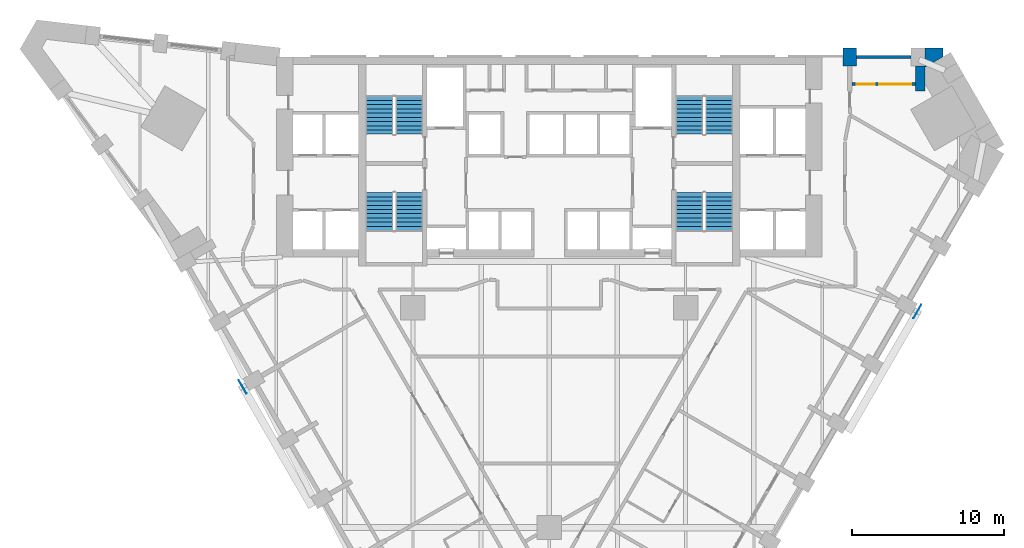
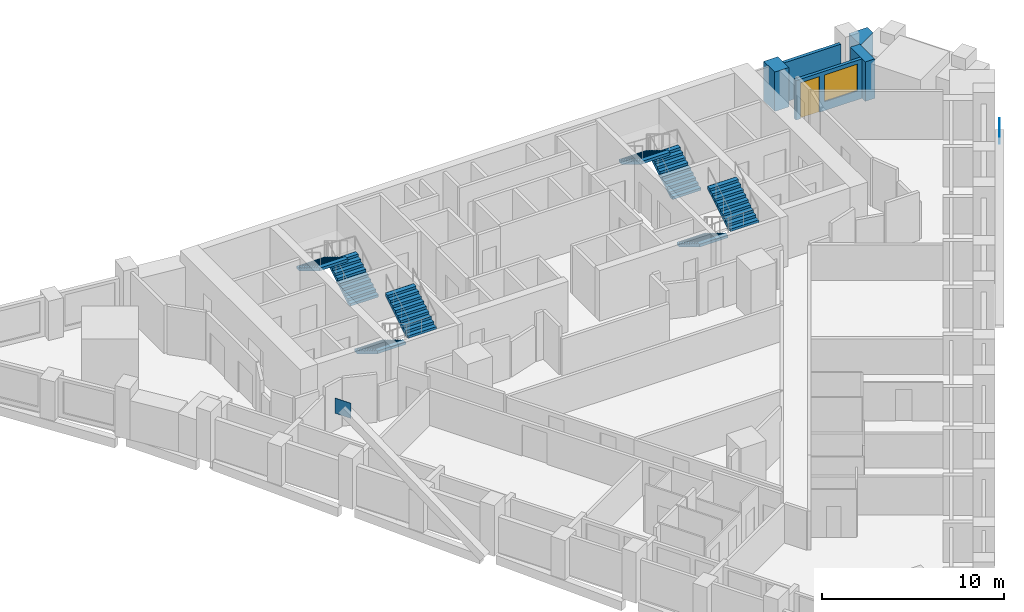
# One storey, part 9 of 10: 8 stair flights, 5 walls, 2 discrete accessories, 1 door, 1 window, 2 openings, 4 elements without a shape of their own.
"""IFC4 building model written with IfcOpenShell, lengths in metres."""

import ifcopenshell
import ifcopenshell.guid

model = None  # the IFC model being written
_history = None  # IfcOwnerHistory: only IFC2X3 demands one
_inside = {}  # id of a spatial element -> (the spatial element, [elements in it])
_under = {}  # id of a project, library or spatial element -> (it, [spatial elements below it])
_declared = {}  # id of a project -> (the project, [libraries it declares])
_typed = {}  # id of a type object -> (the type object, [elements of that type])
_made_of = {}  # id of a material, layer set ... -> (it, [elements and type objects made of it])


def new_model(schema):
    """Start an empty IFC model of exactly this schema.

    Asked for "IFC4X3", IfcOpenShell would pick the latest addendum, in which some entities
    have other attributes; the version numbers below select the first issue.
    IFC2X3 requires an IfcOwnerHistory on every rooted entity: one is made here for all.
    """
    global model, _history
    if schema == "IFC4X3":
        model = ifcopenshell.file(schema_version=(4, 3, 0, 0))
    else:
        model = ifcopenshell.file(schema=schema)
    _inside.clear()
    _under.clear()
    _declared.clear()
    _typed.clear()
    _made_of.clear()
    _history = None
    if model.schema == "IFC2X3":
        org = make("IfcOrganization", Name="unknown")
        user = make(
            "IfcPersonAndOrganization",
            ThePerson=make("IfcPerson", FamilyName="unknown"),
            TheOrganization=org,
        )
        app = make(
            "IfcApplication",
            ApplicationDeveloper=org,
            Version="unknown",
            ApplicationFullName="unknown",
            ApplicationIdentifier="unknown",
        )
        _history = make(
            "IfcOwnerHistory",
            OwningUser=user,
            OwningApplication=app,
            ChangeAction="ADDED",
            CreationDate=0,
        )
    return model


def make(cls, **values):
    """One entity of the class cls with the attributes given. An attribute that is None is left unset."""
    return model.create_entity(
        cls, **{name: value for name, value in values.items() if value is not None}
    )


def rooted(cls, **values):
    """An entity with a GlobalId (a new one), such as an element, a storey or a relation."""
    return make(cls, GlobalId=ifcopenshell.guid.new(), OwnerHistory=_history, **values)


def si_unit(unit_type, name, prefix=None):
    """IfcSIUnit, for example si_unit("LENGTHUNIT", "METRE", prefix="MILLI")."""
    return make("IfcSIUnit", UnitType=unit_type, Prefix=prefix, Name=name)


def assignment(units):
    """IfcUnitAssignment: the units of a project."""
    return None if units is None else make("IfcUnitAssignment", Units=units)


def point(xyz):
    """IfcCartesianPoint."""
    return None if xyz is None else make("IfcCartesianPoint", Coordinates=xyz)


def direction(xyz):
    """IfcDirection."""
    return None if xyz is None else make("IfcDirection", DirectionRatios=xyz)


def frame(location, z_axis=None, x_axis=None):
    """IfcAxis2Placement3D, a coordinate frame: its origin and axes. An axis left out is left unset."""
    return make(
        "IfcAxis2Placement3D",
        Location=point(location),
        Axis=direction(z_axis),
        RefDirection=direction(x_axis),
    )


def frame_2d(location, x_axis=None):
    """IfcAxis2Placement2D, a coordinate frame in the plane: its origin and x axis."""
    return make(
        "IfcAxis2Placement2D", Location=point(location), RefDirection=direction(x_axis)
    )


def origin():
    """The frame at (0, 0, 0) with its axes left unset."""
    return frame((0.0, 0.0, 0.0))


def origin_2d():
    """The frame at (0, 0) in the plane with its x axis left unset."""
    return frame_2d((0.0, 0.0))


def place(relative_to, where):
    """IfcLocalPlacement: puts the frame where relative to a parent placement (None: the world)."""
    return make(
        "IfcLocalPlacement", PlacementRelTo=relative_to, RelativePlacement=where
    )


def context(
    kind, dimensions, precision=None, world=None, true_north=None, identifier=None
):
    """IfcGeometricRepresentationContext, for example the 3D "Model" context."""
    return make(
        "IfcGeometricRepresentationContext",
        ContextIdentifier=identifier,
        ContextType=kind,
        CoordinateSpaceDimension=dimensions,
        Precision=precision,
        WorldCoordinateSystem=world,
        TrueNorth=true_north,
    )


def subcontext(parent, identifier, kind, view, scale=None):
    """IfcGeometricRepresentationSubContext, for example "Body" below "Model"."""
    return make(
        "IfcGeometricRepresentationSubContext",
        ContextIdentifier=identifier,
        ContextType=kind,
        ParentContext=parent,
        TargetScale=scale,
        TargetView=view,
    )


def project(units=None, contexts=None):
    """IfcProject with its units and contexts."""
    return rooted(
        "IfcProject",
        Name="project",
        RepresentationContexts=contexts,
        UnitsInContext=assignment(units),
    )


def spatial(cls, under=None, at=None, **own):
    """A site, building, storey or space (cls), placed at a placement, below another one or the project."""
    s = rooted(cls, ObjectPlacement=at, **own)
    if under is not None:
        _under.setdefault(under.id(), (under, []))[1].append(s)
    return s


def polyline(points):
    """IfcPolyline through the points."""
    return make("IfcPolyline", Points=[point(p) for p in points])


def profile(cls, at=None, kind="AREA", **sizes):
    """A parametric profile (cls). Its sizes go by their IFC names, for example OverallWidth=200.0."""
    return make(cls, ProfileType=kind, Position=at, **sizes)


def rectangle(**sizes):
    """IfcRectangleProfileDef."""
    return profile("IfcRectangleProfileDef", **sizes)


def outline(outer, holes=None, kind="AREA"):
    """IfcArbitraryClosedProfileDef: a profile drawn as a closed curve; with holes, ...WithVoids."""
    if holes is None:
        return make("IfcArbitraryClosedProfileDef", ProfileType=kind, OuterCurve=outer)
    return make(
        "IfcArbitraryProfileDefWithVoids",
        ProfileType=kind,
        OuterCurve=outer,
        InnerCurves=holes,
    )


def extrude(swept, where, along, depth):
    """IfcExtrudedAreaSolid: the profile swept, set in the frame where, extruded along a direction by depth."""
    return make(
        "IfcExtrudedAreaSolid",
        SweptArea=swept,
        Position=where,
        ExtrudedDirection=direction(along),
        Depth=depth,
    )


def faces_of(points, faces, orient=None, outer=None):
    """IfcFace entities. A face is a list of loops; a loop is a list of indices into points, from 0.

    orient and outer hold one flag for each loop. By default every Orientation is true, the
    first loop of a face is its IfcFaceOuterBound and the others are IfcFaceBound.
    """
    made = []
    for i, loops in enumerate(faces):
        bounds = []
        for j, loop in enumerate(loops):
            is_outer = j == 0 if outer is None else outer[i][j]
            bounds.append(
                make(
                    "IfcFaceOuterBound" if is_outer else "IfcFaceBound",
                    Bound=make("IfcPolyLoop", Polygon=[points[k] for k in loop]),
                    Orientation=True if orient is None else orient[i][j],
                )
            )
        made.append(make("IfcFace", Bounds=bounds))
    return made


def faceted_brep(points, faces, orient=None, outer=None, voids=None):
    """IfcFacetedBrep: a solid bounded by flat faces; with voids (closed shells), ...WithVoids."""
    shared = [point(p) for p in points]
    hull = make("IfcClosedShell", CfsFaces=faces_of(shared, faces, orient, outer))
    if voids is None:
        return make("IfcFacetedBrep", Outer=hull)
    return make(
        "IfcFacetedBrepWithVoids",
        Outer=hull,
        Voids=[
            make(cls, CfsFaces=faces_of(shared, fs, o, b)) for cls, fs, o, b in voids
        ],
    )


def shape(context_of_items, identifier, shape_type, items):
    """IfcShapeRepresentation: the items that make up one representation, for example the "Body"."""
    return make(
        "IfcShapeRepresentation",
        ContextOfItems=context_of_items,
        RepresentationIdentifier=identifier,
        RepresentationType=shape_type,
        Items=items,
    )


def source(mapping_origin, context_of_items, identifier, shape_type, items):
    """IfcRepresentationMap: a shape defined once, which mapped items show again and again."""
    return make(
        "IfcRepresentationMap",
        MappingOrigin=mapping_origin,
        MappedRepresentation=shape(context_of_items, identifier, shape_type, items),
    )


def transform(
    local_origin,
    x_axis=None,
    y_axis=None,
    z_axis=None,
    scale=None,
    scale2=None,
    scale3=None,
    uniform=True,
):
    """IfcCartesianTransformationOperator3D, or its non-uniform kind. x_axis, y_axis, z_axis: its Axis1, 2, 3."""
    if uniform:
        return make(
            "IfcCartesianTransformationOperator3D",
            Axis1=direction(x_axis),
            Axis2=direction(y_axis),
            LocalOrigin=point(local_origin),
            Scale=scale,
            Axis3=direction(z_axis),
        )
    return make(
        "IfcCartesianTransformationOperator3DnonUniform",
        Axis1=direction(x_axis),
        Axis2=direction(y_axis),
        LocalOrigin=point(local_origin),
        Scale=scale,
        Axis3=direction(z_axis),
        Scale2=scale2,
        Scale3=scale3,
    )


def mapped(mapping_source, mapping_target):
    """IfcMappedItem: shows the shape of a source again, moved by a transform."""
    return make(
        "IfcMappedItem", MappingSource=mapping_source, MappingTarget=mapping_target
    )


def material(Name=None, Category=None):
    """IfcMaterial."""
    return make("IfcMaterial", Name=Name, Category=Category)


def layer(
    of_material, thickness, ventilated=None, Name=None, Category=None, Priority=None
):
    """IfcMaterialLayer: one layer of a wall or slab, of a material (None: an air gap)."""
    return make(
        "IfcMaterialLayer",
        Material=of_material,
        LayerThickness=thickness,
        IsVentilated=ventilated,
        Name=Name,
        Category=Category,
        Priority=Priority,
    )


def layer_set(layers, Name=None):
    """IfcMaterialLayerSet."""
    return make("IfcMaterialLayerSet", MaterialLayers=layers, LayerSetName=Name)


def made_of(thing, what):
    """Note that an element or type object is made of a material, layer set ...; save() writes the relation."""
    if what is not None:
        _made_of.setdefault(what.id(), (what, []))[1].append(thing)
    return thing


def type_object(cls, material=None, **own):
    """A type object (cls), such as IfcWallType, which elements share."""
    return made_of(rooted(cls, **own), material)


def element(
    cls,
    number,
    at=None,
    inside=None,
    cuts=None,
    type_object=None,
    material=None,
    context=None,
    identifier="Body",
    shape_type=None,
    held_by="IfcProductDefinitionShape",
    body=None,
    shapes=None,
    **own,
):
    """One element of the class cls, such as IfcWall. Its Tag is "e" and its number.

    at: its placement. inside: the storey or other place that contains it. cuts: it is an
    opening in that element (IfcRelVoidsElement). A single representation is given by context,
    identifier, shape_type and body (its items); several are given by shapes. held_by: the class
    of the entity that holds the representations. save() writes the other relations.
    """
    e = rooted(cls, Tag="e%d" % number, ObjectPlacement=at, **own)
    if body is not None:
        shapes = [shape(context, identifier, shape_type, body)]
    if shapes is not None:
        e.Representation = make(held_by, Representations=shapes)
    if inside is not None:
        _inside.setdefault(inside.id(), (inside, []))[1].append(e)
    if cuts is not None:
        rooted(
            "IfcRelVoidsElement", RelatingBuildingElement=cuts, RelatedOpeningElement=e
        )
    if type_object is not None:
        _typed.setdefault(type_object.id(), (type_object, []))[1].append(e)
    return made_of(e, material)


def fill(opening, filler):
    """IfcRelFillsElement: the door or window that sits in an opening."""
    return rooted(
        "IfcRelFillsElement",
        RelatingOpeningElement=opening,
        RelatedBuildingElement=filler,
    )


def aggregate(whole, parts):
    """IfcRelAggregates: a whole, such as a stair, and the parts it consists of."""
    return rooted("IfcRelAggregates", RelatingObject=whole, RelatedObjects=parts)


def save(model, path):
    """Write the relations noted so far, then the file.

    IfcRelAggregates (storeys below a building ...), IfcRelContainedInSpatialStructure (elements
    in a storey), IfcRelDefinesByType, IfcRelAssociatesMaterial and IfcRelDeclares: one each for
    every whole, place, type object, material and project.
    """
    for whole, parts in _under.values():
        aggregate(whole, parts)
    for where, things in _inside.values():
        rooted(
            "IfcRelContainedInSpatialStructure",
            RelatedElements=things,
            RelatingStructure=where,
        )
    for kind, things in _typed.values():
        rooted("IfcRelDefinesByType", RelatedObjects=things, RelatingType=kind)
    for what, things in _made_of.values():
        rooted("IfcRelAssociatesMaterial", RelatedObjects=things, RelatingMaterial=what)
    for by, libraries in _declared.values():
        rooted("IfcRelDeclares", RelatingContext=by, RelatedDefinitions=libraries)
    model.write(path)


model = new_model("IFC4")

# Units and contexts
model_context = context("Model", 3, precision=1e-05, world=origin(), true_north=direction((0.0, 1.0)))
body_context = subcontext(model_context, "Body", "Model", "MODEL_VIEW")
ifc_project = project(units=[si_unit("LENGTHUNIT", "METRE"), si_unit("AREAUNIT", "SQUARE_METRE"), si_unit("VOLUMEUNIT", "CUBIC_METRE"), si_unit("PLANEANGLEUNIT", "RADIAN"), si_unit("MASSUNIT", "GRAM", prefix="KILO")], contexts=[model_context])

# Site, building, storey
site_placement = place(None, origin())
site = spatial("IfcSite", under=ifc_project, at=site_placement, CompositionType="ELEMENT")
building_placement = place(site_placement, origin())
building = spatial("IfcBuilding", under=site, at=building_placement, Name="Calabash Gate Tower", CompositionType="ELEMENT")
storey_placement = place(building_placement, frame((0.0, 0.0, 66.39990234375)))
storey = spatial("IfcBuildingStorey", under=building, at=storey_placement, Name="L12", CompositionType="ELEMENT", Elevation=66.39990234375)

# Walls
ifc_material_1 = material(Name="Terracotta brick masonry, exposed face", Category="masonry")
ifc_layer_1 = layer(ifc_material_1, 2.5)
ifc_layer_set_1 = layer_set([ifc_layer_1], Name="Brick corner mass wall 2500")
wall_type_1 = type_object("IfcWallType", Name="Brick corner mass wall 2500", PredefinedType="SOLIDWALL", material=ifc_layer_set_1)
wall_1_placement = place(storey_placement, origin())
element("IfcWall", 1, at=wall_1_placement, inside=storey, type_object=wall_type_1, Name="Brick corner pier S03 3c", PredefinedType="SOLIDWALL", context=body_context, shape_type="SweptSolid", body=[
    extrude(outline(polyline([(24.77783203125, 18.452880859375), (24.77783203125, 18.36865234375), (25.96240234375, 19.052490234375), (25.96240234375, 19.652587890625), (24.778076171875, 19.652587890625), (24.778076171875, 18.452880859375), (24.77783203125, 18.452880859375)])), origin(), (0.0, 0.0, 1.0), 2.630126953125),
])
ifc_material_2 = material(Name="Terracotta brick masonry, exposed face", Category="masonry")
ifc_layer_2 = layer(ifc_material_2, 1.199951171875)
ifc_layer_set_2 = layer_set([ifc_layer_2], Name="Brick end wall 1200")
wall_type_2 = type_object("IfcWallType", Name="Brick end wall 1200", PredefinedType="SOLIDWALL", material=ifc_layer_set_2)
wall_2_placement = place(storey_placement, origin())
element("IfcWall", 2, at=wall_2_placement, inside=storey, type_object=wall_type_2, Name="Brick pier S03 N4.1", PredefinedType="SOLIDWALL", context=body_context, shape_type="SweptSolid", body=[
    extrude(outline(polyline([(20.27783203125, 19.652587890625), (19.3779296875, 19.652587890625), (19.3779296875, 18.45263671875), (20.27783203125, 18.45263671875), (20.27783203125, 19.652587890625)])), origin(), (0.0, 0.0, 1.0), 2.650146484375),
])
ifc_material_3 = material(Name="Terracotta brick masonry, exposed face", Category="masonry")
ifc_layer_3 = layer(ifc_material_3, 0.300048828125)
ifc_layer_set_3 = layer_set([ifc_layer_3], Name="Brick loggia cheek wall 300")
wall_type_3 = type_object("IfcWallType", Name="Brick loggia cheek wall 300", PredefinedType="SOLIDWALL", material=ifc_layer_set_3)
wall_3_placement = place(storey_placement, origin())
element("IfcWall", 3, at=wall_3_placement, inside=storey, type_object=wall_type_3, Name="Loggia cheek S03 N4.0", PredefinedType="SOLIDWALL", context=body_context, shape_type="SweptSolid", body=[
    extrude(outline(polyline([(24.77783203125, 16.802490234375), (24.77783203125, 18.45263671875), (24.177978515625, 18.45263671875), (24.177978515625, 16.802490234375), (24.77783203125, 16.802490234375)])), origin(), (0.0, 0.0, 1.0), 2.650146484375),
])
ifc_material_4 = material(Name="Terracotta brick masonry, perforated", Category="masonry")
ifc_layer_4 = layer(ifc_material_4, 0.199951171875)
ifc_layer_set_4 = layer_set([ifc_layer_4], Name="Terracotta jaali screen A")
wall_type_4 = type_object("IfcWallType", Name="Terracotta jaali screen A", PredefinedType="SOLIDWALL", material=ifc_layer_set_4)
wall_4_placement = place(storey_placement, frame((23.8779296875, 19.052490234375, 0.0), z_axis=(0.0, 0.0, 1.0), x_axis=(-1.0, 0.0, 0.0)))
element("IfcWall", 4, at=wall_4_placement, inside=storey, type_object=wall_type_4, Name="SCREEN A S03 N4.1", PredefinedType="SOLIDWALL", context=body_context, shape_type="SweptSolid", body=[
    extrude(rectangle(XDim=3.60009765625, YDim=0.199951171875, at=frame_2d((1.800048828125, 0.0))), origin(), (0.0, 0.0, 1.0), 2.650146484375),
])

# Wall, openings, door, window
ifc_material_5 = material(Name="Aluminium framed window wall with insulated spandrel", Category="aluminium")
ifc_layer_5 = layer(ifc_material_5, 0.199951171875)
ifc_layer_set_5 = layer_set([ifc_layer_5], Name="Window wall 200")
wall_type_5 = type_object("IfcWallType", Name="Window wall 200", PredefinedType="ELEMENTEDWALL", material=ifc_layer_set_5)
wall_5_placement = place(storey_placement, frame((24.177978515625, 17.25244140625, 0.0), z_axis=(0.0, 0.0, 1.0), x_axis=(-1.0, 0.0, 0.0)))
wall_5 = element("IfcWall", 5, at=wall_5_placement, inside=storey, type_object=wall_type_5, Name="Window wall S03 N4.1", PredefinedType="ELEMENTEDWALL", context=body_context, shape_type="SweptSolid", body=[
    extrude(rectangle(XDim=4.2001953125, YDim=0.199951171875, at=frame_2d((2.10009765625, 0.0))), origin(), (0.0, 0.0, 1.0), 2.650146484375),
])
opening_1_placement = place(wall_5_placement, frame((0.300048828125, 0.0, 0.60009765625)))
opening_1 = element("IfcOpeningElement", 6, at=opening_1_placement, cuts=wall_5, Name="Opening HW1", PredefinedType="OPENING", context=body_context, shape_type="SweptSolid", body=[
    extrude(rectangle(XDim=2.10009765625, YDim=1.800048828125, at=frame_2d((1.050048828125, 0.89990234375))), frame((0.0, 0.10986328125, 0.0), z_axis=(0.0, -1.0, 0.0), x_axis=(1.0, 0.0, 0.0)), (0.0, 0.0, 1.0), 0.219970703125),
])
opening_2_placement = place(wall_5_placement, frame((2.699951171875, 0.0, 0.0)))
opening_2 = element("IfcOpeningElement", 7, at=opening_2_placement, cuts=wall_5, Name="Opening H3-019", PredefinedType="OPENING", context=body_context, shape_type="SweptSolid", body=[
    extrude(rectangle(XDim=1.199951171875, YDim=2.39990234375, at=frame_2d((0.60009765625, 1.199951171875))), frame((0.0, 0.10986328125, 0.0), z_axis=(0.0, -1.0, 0.0), x_axis=(1.0, 0.0, 0.0)), (0.0, 0.0, 1.0), 0.219970703125),
])
ifc_material_6 = material(Name="Anodised aluminium frame, bronze finish, impact-rated laminated clear glazing", Category="aluminium")
door_type = type_object("IfcDoorType", Name="Loggia door DH1 1200x2400", OperationType="SLIDING_TO_LEFT", PredefinedType="DOOR", material=ifc_material_6)
door_placement = place(opening_2_placement, origin())
door = element("IfcDoor", 8, at=door_placement, inside=storey, type_object=door_type, Name="Loggia door S03 N4.1", OperationType="SINGLE_SWING_LEFT", OverallHeight=2.39990234375, OverallWidth=1.199951171875, PredefinedType="DOOR", context=body_context, shape_type="SweptSolid", body=[
    extrude(rectangle(XDim=1.199951171875, YDim=2.39990234375, at=frame_2d((0.60009765625, 1.199951171875))), frame((0.0, 0.02490234375, 0.0), z_axis=(0.0, -1.0, 0.0), x_axis=(1.0, 0.0, 0.0)), (0.0, 0.0, 1.0), 0.050048828125),
])
fill(opening_2, door)
ifc_material_7 = material(Name="Anodised aluminium frame, bronze finish, impact-rated laminated clear glazing", Category="aluminium")
window_type = type_object("IfcWindowType", Name="Window HW1 2100x1800", PartitioningType="DOUBLE_PANEL_VERTICAL", PredefinedType="WINDOW", material=ifc_material_7)
window_placement = place(opening_1_placement, origin())
window = element("IfcWindow", 9, at=window_placement, inside=storey, type_object=window_type, Name="Window HW1 S03 N4.1", OverallHeight=1.800048828125, OverallWidth=2.10009765625, PartitioningType="SINGLE_PANEL", PredefinedType="WINDOW", context=body_context, shape_type="SweptSolid", body=[
    extrude(rectangle(XDim=2.10009765625, YDim=1.800048828125, at=frame_2d((1.050048828125, 0.89990234375))), frame((0.0, 0.030029296875, 0.0), z_axis=(0.0, -1.0, 0.0), x_axis=(1.0, 0.0, 0.0)), (0.0, 0.0, 1.0), 0.06005859375),
])
fill(opening_1, window)

# Stair, stair flights
ifc_material_8 = material(Name="Concrete C40/50", Category="concrete")
stair_type = type_object("IfcStairType", Name="Exit stair 20 risers of 170 mm", PredefinedType="HALF_TURN_STAIR", material=ifc_material_8)
stair_1_placement = place(storey_placement, origin())
stair_1 = element("IfcStair", 10, at=stair_1_placement, inside=storey, type_object=stair_type, Name="L12 Exit stair ST1", PredefinedType="HALF_TURN_STAIR")
ifc_material_9 = material(Name="Concrete C40/50", Category="concrete")
stair_flight_type = type_object("IfcStairFlightType", Name="Exit stair flight SFL", PredefinedType="STRAIGHT", material=ifc_material_9)
shared_shape = source(origin(), body_context, "Body", "Brep", [
    faceted_brep([(-0.0009765625, -0.89990234375, 0.0), (0.2880859375, -0.89990234375, 0.0), (2.511962890625, -0.89990234375, 1.3544921875), (-0.0009765625, 0.89990234375, 0.0), (2.511962890625, 0.89990234375, 1.3544921875), (0.2880859375, 0.89990234375, 0.0), (2.511962890625, -0.89990234375, 1.5419921875), (2.510986328125, -0.89990234375, 1.5419921875), (2.510986328125, 0.89990234375, 1.5419921875), (2.511962890625, 0.89990234375, 1.5419921875), (2.510986328125, -0.89990234375, 1.530029296875), (2.510986328125, 0.89990234375, 1.530029296875), (2.23193359375, -0.89990234375, 1.530029296875), (2.23193359375, 0.89990234375, 1.530029296875), (2.23193359375, -0.89990234375, 1.360107421875), (2.23193359375, 0.89990234375, 1.360107421875), (1.952880859375, -0.89990234375, 1.360107421875), (1.952880859375, 0.89990234375, 1.360107421875), (1.952880859375, -0.89990234375, 1.18994140625), (1.952880859375, 0.89990234375, 1.18994140625), (1.674072265625, -0.89990234375, 1.18994140625), (1.674072265625, -0.89990234375, 1.02001953125), (1.674072265625, 0.89990234375, 1.02001953125), (1.674072265625, 0.89990234375, 1.18994140625), (1.39501953125, -0.89990234375, 1.02001953125), (1.39501953125, -0.89990234375, 0.85009765625), (1.39501953125, 0.89990234375, 0.85009765625), (1.39501953125, 0.89990234375, 1.02001953125), (1.115966796875, -0.89990234375, 0.85009765625), (1.115966796875, -0.89990234375, 0.679931640625), (1.115966796875, 0.89990234375, 0.679931640625), (1.115966796875, 0.89990234375, 0.85009765625), (0.8369140625, -0.89990234375, 0.679931640625), (0.8369140625, -0.89990234375, 0.510009765625), (0.8369140625, 0.89990234375, 0.510009765625), (0.8369140625, 0.89990234375, 0.679931640625), (0.55810546875, -0.89990234375, 0.510009765625), (0.55810546875, -0.89990234375, 0.340087890625), (0.55810546875, 0.89990234375, 0.340087890625), (0.55810546875, 0.89990234375, 0.510009765625), (0.279052734375, -0.89990234375, 0.340087890625), (0.279052734375, -0.89990234375, 0.169921875), (0.279052734375, 0.89990234375, 0.169921875), (0.279052734375, 0.89990234375, 0.340087890625), (-0.0009765625, -0.89990234375, 0.169921875), (-0.0009765625, 0.89990234375, 0.169921875), (0.2880859375, -0.360107421875, 0.0), (2.511962890625, -0.360107421875, 1.3544921875), (0.2880859375, -0.179931640625, 0.0), (2.511962890625, -0.179931640625, 1.3544921875), (0.2880859375, 0.0, 0.0), (2.511962890625, 0.0, 1.3544921875), (0.2880859375, 0.179931640625, 0.0), (2.511962890625, 0.179931640625, 1.3544921875), (0.2880859375, 0.360107421875, 0.0), (2.511962890625, 0.360107421875, 1.3544921875), (2.511962890625, -0.360107421875, 1.5419921875), (2.511962890625, -0.179931640625, 1.5419921875), (2.511962890625, 0.0, 1.5419921875), (2.511962890625, 0.179931640625, 1.5419921875), (2.511962890625, 0.360107421875, 1.5419921875), (2.510986328125, -0.360107421875, 1.5419921875), (2.510986328125, -0.179931640625, 1.5419921875), (2.510986328125, 0.0, 1.5419921875), (2.510986328125, 0.179931640625, 1.5419921875), (2.510986328125, 0.360107421875, 1.5419921875), (2.510986328125, -0.360107421875, 1.530029296875), (2.510986328125, -0.179931640625, 1.530029296875), (2.510986328125, 0.0, 1.530029296875), (2.510986328125, 0.179931640625, 1.530029296875), (2.510986328125, 0.360107421875, 1.530029296875), (2.23193359375, -0.360107421875, 1.530029296875), (2.23193359375, -0.179931640625, 1.530029296875), (2.23193359375, 0.0, 1.530029296875), (2.23193359375, 0.179931640625, 1.530029296875), (2.23193359375, 0.360107421875, 1.530029296875), (2.23193359375, -0.360107421875, 1.360107421875), (2.23193359375, -0.179931640625, 1.360107421875), (2.23193359375, 0.0, 1.360107421875), (2.23193359375, 0.179931640625, 1.360107421875), (2.23193359375, 0.360107421875, 1.360107421875), (1.952880859375, -0.360107421875, 1.360107421875), (1.952880859375, -0.179931640625, 1.360107421875), (1.952880859375, 0.0, 1.360107421875), (1.952880859375, 0.179931640625, 1.360107421875), (1.952880859375, 0.360107421875, 1.360107421875), (1.952880859375, -0.360107421875, 1.18994140625), (1.952880859375, -0.179931640625, 1.18994140625), (1.952880859375, 0.0, 1.18994140625), (1.952880859375, 0.179931640625, 1.18994140625), (1.952880859375, 0.360107421875, 1.18994140625), (1.674072265625, -0.360107421875, 1.18994140625), (1.674072265625, -0.179931640625, 1.18994140625), (1.674072265625, 0.0, 1.18994140625), (1.674072265625, 0.179931640625, 1.18994140625), (1.674072265625, 0.360107421875, 1.18994140625), (1.674072265625, -0.360107421875, 1.02001953125), (1.674072265625, -0.179931640625, 1.02001953125), (1.674072265625, 0.0, 1.02001953125), (1.674072265625, 0.179931640625, 1.02001953125), (1.674072265625, 0.360107421875, 1.02001953125), (1.39501953125, -0.360107421875, 1.02001953125), (1.39501953125, -0.179931640625, 1.02001953125), (1.39501953125, 0.0, 1.02001953125), (1.39501953125, 0.179931640625, 1.02001953125), (1.39501953125, 0.360107421875, 1.02001953125), (1.39501953125, -0.360107421875, 0.85009765625), (1.39501953125, -0.179931640625, 0.85009765625), (1.39501953125, 0.0, 0.85009765625), (1.39501953125, 0.179931640625, 0.85009765625), (1.39501953125, 0.360107421875, 0.85009765625), (1.115966796875, -0.360107421875, 0.85009765625), (1.115966796875, -0.179931640625, 0.85009765625), (1.115966796875, 0.0, 0.85009765625), (1.115966796875, 0.179931640625, 0.85009765625), (1.115966796875, 0.360107421875, 0.85009765625), (1.115966796875, -0.360107421875, 0.679931640625), (1.115966796875, -0.179931640625, 0.679931640625), (1.115966796875, 0.0, 0.679931640625), (1.115966796875, 0.179931640625, 0.679931640625), (1.115966796875, 0.360107421875, 0.679931640625), (0.8369140625, -0.360107421875, 0.679931640625), (0.8369140625, -0.179931640625, 0.679931640625), (0.8369140625, 0.0, 0.679931640625), (0.8369140625, 0.179931640625, 0.679931640625), (0.8369140625, 0.360107421875, 0.679931640625), (0.8369140625, -0.360107421875, 0.510009765625), (0.8369140625, -0.179931640625, 0.510009765625), (0.8369140625, 0.0, 0.510009765625), (0.8369140625, 0.179931640625, 0.510009765625), (0.8369140625, 0.360107421875, 0.510009765625), (0.55810546875, -0.360107421875, 0.510009765625), (0.55810546875, -0.179931640625, 0.510009765625), (0.55810546875, 0.0, 0.510009765625), (0.55810546875, 0.179931640625, 0.510009765625), (0.55810546875, 0.360107421875, 0.510009765625), (0.55810546875, -0.360107421875, 0.340087890625), (0.55810546875, -0.179931640625, 0.340087890625), (0.55810546875, 0.0, 0.340087890625), (0.55810546875, 0.179931640625, 0.340087890625), (0.55810546875, 0.360107421875, 0.340087890625), (0.279052734375, -0.360107421875, 0.340087890625), (0.279052734375, -0.179931640625, 0.340087890625), (0.279052734375, 0.0, 0.340087890625), (0.279052734375, 0.179931640625, 0.340087890625), (0.279052734375, 0.360107421875, 0.340087890625), (0.279052734375, -0.360107421875, 0.169921875), (0.279052734375, -0.179931640625, 0.169921875), (0.279052734375, 0.0, 0.169921875), (0.279052734375, 0.179931640625, 0.169921875), (0.279052734375, 0.360107421875, 0.169921875), (-0.0009765625, -0.360107421875, 0.169921875), (-0.0009765625, -0.179931640625, 0.169921875), (-0.0009765625, 0.0, 0.169921875), (-0.0009765625, 0.179931640625, 0.169921875), (-0.0009765625, 0.360107421875, 0.169921875), (-0.0009765625, -0.360107421875, 0.0), (-0.0009765625, -0.179931640625, 0.0), (-0.0009765625, 0.0, 0.0), (-0.0009765625, 0.179931640625, 0.0), (-0.0009765625, 0.360107421875, 0.0)], [[[0, 1, 2]], [[3, 4, 5]], [[2, 6, 7]], [[4, 8, 9]], [[2, 7, 10]], [[4, 11, 8]], [[2, 10, 12]], [[4, 13, 11]], [[2, 12, 14]], [[4, 15, 13]], [[2, 14, 16]], [[4, 17, 15]], [[2, 16, 18]], [[4, 19, 17]], [[18, 20, 21]], [[19, 22, 23]], [[2, 18, 21]], [[4, 22, 19]], [[21, 24, 25]], [[22, 26, 27]], [[2, 21, 25]], [[4, 26, 22]], [[25, 28, 29]], [[26, 30, 31]], [[2, 25, 29]], [[4, 30, 26]], [[29, 32, 33]], [[30, 34, 35]], [[2, 29, 33]], [[4, 34, 30]], [[33, 36, 37]], [[34, 38, 39]], [[2, 33, 37]], [[4, 38, 34]], [[37, 40, 41]], [[38, 42, 43]], [[2, 37, 41]], [[4, 42, 38]], [[0, 2, 41]], [[3, 42, 4]], [[41, 44, 0]], [[42, 3, 45]], [[1, 46, 2]], [[46, 47, 2]], [[46, 48, 47]], [[48, 49, 47]], [[48, 50, 49]], [[50, 51, 49]], [[50, 52, 53]], [[50, 53, 51]], [[52, 54, 55]], [[52, 55, 53]], [[54, 5, 4]], [[54, 4, 55]], [[2, 47, 6]], [[47, 56, 6]], [[47, 49, 56]], [[49, 57, 56]], [[49, 51, 57]], [[51, 58, 57]], [[51, 53, 59]], [[51, 59, 58]], [[53, 55, 60]], [[53, 60, 59]], [[55, 4, 9]], [[55, 9, 60]], [[6, 56, 7]], [[56, 61, 7]], [[56, 57, 61]], [[57, 62, 61]], [[57, 58, 62]], [[58, 63, 62]], [[58, 59, 64]], [[58, 64, 63]], [[59, 60, 65]], [[59, 65, 64]], [[60, 9, 8]], [[60, 8, 65]], [[7, 61, 10]], [[61, 66, 10]], [[61, 62, 66]], [[62, 67, 66]], [[62, 63, 67]], [[63, 68, 67]], [[63, 64, 69]], [[63, 69, 68]], [[64, 65, 70]], [[64, 70, 69]], [[65, 8, 11]], [[65, 11, 70]], [[10, 66, 12]], [[66, 71, 12]], [[66, 67, 71]], [[67, 72, 71]], [[67, 68, 72]], [[68, 73, 72]], [[68, 69, 74]], [[68, 74, 73]], [[69, 70, 75]], [[69, 75, 74]], [[70, 11, 13]], [[70, 13, 75]], [[12, 71, 14]], [[71, 76, 14]], [[71, 72, 76]], [[72, 77, 76]], [[72, 73, 77]], [[73, 78, 77]], [[73, 74, 79]], [[73, 79, 78]], [[74, 75, 80]], [[74, 80, 79]], [[75, 13, 15]], [[75, 15, 80]], [[14, 76, 16]], [[76, 81, 16]], [[76, 77, 81]], [[77, 82, 81]], [[77, 78, 82]], [[78, 83, 82]], [[78, 79, 84]], [[78, 84, 83]], [[79, 80, 85]], [[79, 85, 84]], [[80, 15, 17]], [[80, 17, 85]], [[16, 81, 18]], [[81, 86, 18]], [[81, 82, 86]], [[82, 87, 86]], [[82, 83, 87]], [[83, 88, 87]], [[83, 84, 89]], [[83, 89, 88]], [[84, 85, 90]], [[84, 90, 89]], [[85, 17, 19]], [[85, 19, 90]], [[18, 86, 20]], [[86, 91, 20]], [[86, 87, 91]], [[87, 92, 91]], [[87, 88, 92]], [[88, 93, 92]], [[88, 89, 94]], [[88, 94, 93]], [[89, 90, 95]], [[89, 95, 94]], [[90, 19, 23]], [[90, 23, 95]], [[20, 91, 21]], [[91, 96, 21]], [[91, 92, 96]], [[92, 97, 96]], [[92, 93, 97]], [[93, 98, 97]], [[93, 94, 99]], [[93, 99, 98]], [[94, 95, 100]], [[94, 100, 99]], [[95, 23, 22]], [[95, 22, 100]], [[21, 96, 24]], [[96, 101, 24]], [[96, 97, 101]], [[97, 102, 101]], [[97, 98, 102]], [[98, 103, 102]], [[98, 99, 104]], [[98, 104, 103]], [[99, 100, 105]], [[99, 105, 104]], [[100, 22, 27]], [[100, 27, 105]], [[24, 101, 25]], [[101, 106, 25]], [[101, 102, 106]], [[102, 107, 106]], [[102, 103, 107]], [[103, 108, 107]], [[103, 104, 109]], [[103, 109, 108]], [[104, 105, 110]], [[104, 110, 109]], [[105, 27, 26]], [[105, 26, 110]], [[25, 106, 28]], [[106, 111, 28]], [[106, 107, 111]], [[107, 112, 111]], [[107, 108, 112]], [[108, 113, 112]], [[108, 109, 114]], [[108, 114, 113]], [[109, 110, 115]], [[109, 115, 114]], [[110, 26, 31]], [[110, 31, 115]], [[28, 111, 29]], [[111, 116, 29]], [[111, 112, 116]], [[112, 117, 116]], [[112, 113, 117]], [[113, 118, 117]], [[113, 114, 119]], [[113, 119, 118]], [[114, 115, 120]], [[114, 120, 119]], [[115, 31, 30]], [[115, 30, 120]], [[29, 116, 32]], [[116, 121, 32]], [[116, 117, 121]], [[117, 122, 121]], [[117, 118, 122]], [[118, 123, 122]], [[118, 119, 124]], [[118, 124, 123]], [[119, 120, 125]], [[119, 125, 124]], [[120, 30, 35]], [[120, 35, 125]], [[32, 121, 33]], [[121, 126, 33]], [[121, 122, 126]], [[122, 127, 126]], [[122, 123, 127]], [[123, 128, 127]], [[123, 124, 129]], [[123, 129, 128]], [[124, 125, 130]], [[124, 130, 129]], [[125, 35, 34]], [[125, 34, 130]], [[33, 126, 36]], [[126, 131, 36]], [[126, 127, 131]], [[127, 132, 131]], [[127, 128, 132]], [[128, 133, 132]], [[128, 129, 134]], [[128, 134, 133]], [[129, 130, 135]], [[129, 135, 134]], [[130, 34, 39]], [[130, 39, 135]], [[36, 131, 37]], [[131, 136, 37]], [[131, 132, 136]], [[132, 137, 136]], [[132, 133, 137]], [[133, 138, 137]], [[133, 134, 139]], [[133, 139, 138]], [[134, 135, 140]], [[134, 140, 139]], [[135, 39, 38]], [[135, 38, 140]], [[37, 136, 40]], [[136, 141, 40]], [[136, 137, 141]], [[137, 142, 141]], [[137, 138, 142]], [[138, 143, 142]], [[138, 139, 144]], [[138, 144, 143]], [[139, 140, 145]], [[139, 145, 144]], [[140, 38, 43]], [[140, 43, 145]], [[40, 141, 41]], [[141, 146, 41]], [[141, 142, 146]], [[142, 147, 146]], [[142, 143, 147]], [[143, 148, 147]], [[143, 144, 149]], [[143, 149, 148]], [[144, 145, 150]], [[144, 150, 149]], [[145, 43, 42]], [[145, 42, 150]], [[41, 146, 44]], [[146, 151, 44]], [[146, 147, 151]], [[147, 152, 151]], [[147, 148, 152]], [[148, 153, 152]], [[148, 149, 154]], [[148, 154, 153]], [[149, 150, 155]], [[149, 155, 154]], [[150, 42, 45]], [[150, 45, 155]], [[44, 151, 0]], [[151, 156, 0]], [[151, 152, 156]], [[152, 157, 156]], [[152, 153, 157]], [[153, 158, 157]], [[153, 154, 159]], [[153, 159, 158]], [[154, 155, 160]], [[154, 160, 159]], [[155, 45, 3]], [[155, 3, 160]], [[0, 156, 1]], [[156, 46, 1]], [[156, 157, 46]], [[157, 48, 46]], [[157, 158, 48]], [[158, 50, 48]], [[158, 159, 52]], [[158, 52, 50]], [[159, 160, 54]], [[159, 54, 52]], [[160, 3, 5]], [[160, 5, 54]]]),
])
stair_flight_1_placement = place(storey_placement, frame((-9.25, 13.95263671875, 0.0), z_axis=(0.0, 0.0, 1.0), x_axis=(0.0, 1.0, 0.0)))
stair_flight_1 = element("IfcStairFlight", 11, at=stair_flight_1_placement, type_object=stair_flight_type, Name="ST1 flight 1", NumberOfRisers=10, NumberOfTreads=9, PredefinedType="STRAIGHT", RiserHeight=0.17, TreadLength=0.279, context=body_context, shape_type="MappedRepresentation", body=[
    mapped(shared_shape, transform((0.0, 0.0, 0.0), scale=1.0)),
])
stair_flight_2_placement = place(storey_placement, frame((-11.199951171875, 16.463623046875, 1.7001953125), z_axis=(0.0, 0.0, 1.0), x_axis=(0.0, -1.0, 0.0)))
stair_flight_2 = element("IfcStairFlight", 12, at=stair_flight_2_placement, type_object=stair_flight_type, Name="ST1 flight 2", NumberOfRisers=10, NumberOfTreads=9, PredefinedType="STRAIGHT", RiserHeight=0.17, TreadLength=0.279, context=body_context, shape_type="MappedRepresentation", body=[
    mapped(shared_shape, transform((0.0, 0.0, 0.0), scale=1.0)),
])
aggregate(stair_1, [stair_flight_1, stair_flight_2])

stair_2_placement = place(storey_placement, origin())
stair_2 = element("IfcStair", 13, at=stair_2_placement, inside=storey, type_object=stair_type, Name="L12 Exit stair ST2", PredefinedType="HALF_TURN_STAIR")
stair_flight_3_placement = place(storey_placement, frame((-11.199951171875, 10.1025390625, 0.0), z_axis=(0.0, 0.0, 1.0), x_axis=(0.0, -1.0, 0.0)))
stair_flight_3 = element("IfcStairFlight", 14, at=stair_flight_3_placement, type_object=stair_flight_type, Name="ST2 flight 1", NumberOfRisers=10, NumberOfTreads=9, PredefinedType="STRAIGHT", RiserHeight=0.17, TreadLength=0.279, context=body_context, shape_type="MappedRepresentation", body=[
    mapped(shared_shape, transform((0.0, 0.0, 0.0), scale=1.0)),
])
stair_flight_4_placement = place(storey_placement, frame((-9.25, 7.591552734375, 1.7001953125), z_axis=(0.0, 0.0, 1.0), x_axis=(0.0, 1.0, 0.0)))
stair_flight_4 = element("IfcStairFlight", 15, at=stair_flight_4_placement, type_object=stair_flight_type, Name="ST2 flight 2", NumberOfRisers=10, NumberOfTreads=9, PredefinedType="STRAIGHT", RiserHeight=0.17, TreadLength=0.279, context=body_context, shape_type="MappedRepresentation", body=[
    mapped(shared_shape, transform((0.0, 0.0, 0.0), scale=1.0)),
])
aggregate(stair_2, [stair_flight_3, stair_flight_4])

stair_3_placement = place(storey_placement, origin())
stair_3 = element("IfcStair", 16, at=stair_3_placement, inside=storey, type_object=stair_type, Name="L12 Exit stair ST3", PredefinedType="HALF_TURN_STAIR")
stair_flight_5_placement = place(storey_placement, frame((11.199951171875, 13.95263671875, 0.0), z_axis=(0.0, 0.0, 1.0), x_axis=(0.0, 1.0, 0.0)))
stair_flight_5 = element("IfcStairFlight", 17, at=stair_flight_5_placement, type_object=stair_flight_type, Name="ST3 flight 1", NumberOfRisers=10, NumberOfTreads=9, PredefinedType="STRAIGHT", RiserHeight=0.17, TreadLength=0.279, context=body_context, shape_type="MappedRepresentation", body=[
    mapped(shared_shape, transform((0.0, 0.0, 0.0), scale=1.0)),
])
stair_flight_6_placement = place(storey_placement, frame((9.25, 16.463623046875, 1.7001953125), z_axis=(0.0, 0.0, 1.0), x_axis=(0.0, -1.0, 0.0)))
stair_flight_6 = element("IfcStairFlight", 18, at=stair_flight_6_placement, type_object=stair_flight_type, Name="ST3 flight 2", NumberOfRisers=10, NumberOfTreads=9, PredefinedType="STRAIGHT", RiserHeight=0.17, TreadLength=0.279, context=body_context, shape_type="MappedRepresentation", body=[
    mapped(shared_shape, transform((0.0, 0.0, 0.0), scale=1.0)),
])
aggregate(stair_3, [stair_flight_5, stair_flight_6])

stair_4_placement = place(storey_placement, origin())
stair_4 = element("IfcStair", 19, at=stair_4_placement, inside=storey, type_object=stair_type, Name="L12 Exit stair ST4", PredefinedType="HALF_TURN_STAIR")
stair_flight_7_placement = place(storey_placement, frame((9.25, 10.1025390625, 0.0), z_axis=(0.0, 0.0, 1.0), x_axis=(0.0, -1.0, 0.0)))
stair_flight_7 = element("IfcStairFlight", 20, at=stair_flight_7_placement, type_object=stair_flight_type, Name="ST4 flight 1", NumberOfRisers=10, NumberOfTreads=9, PredefinedType="STRAIGHT", RiserHeight=0.17, TreadLength=0.279, context=body_context, shape_type="MappedRepresentation", body=[
    mapped(shared_shape, transform((0.0, 0.0, 0.0), scale=1.0)),
])
stair_flight_8_placement = place(storey_placement, frame((11.199951171875, 7.591552734375, 1.7001953125), z_axis=(0.0, 0.0, 1.0), x_axis=(0.0, 1.0, 0.0)))
stair_flight_8 = element("IfcStairFlight", 21, at=stair_flight_8_placement, type_object=stair_flight_type, Name="ST4 flight 2", NumberOfRisers=10, NumberOfTreads=9, PredefinedType="STRAIGHT", RiserHeight=0.17, TreadLength=0.279, context=body_context, shape_type="MappedRepresentation", body=[
    mapped(shared_shape, transform((0.0, 0.0, 0.0), scale=1.0)),
])
aggregate(stair_4, [stair_flight_7, stair_flight_8])

# Discrete accessories
ifc_material_10 = material(Name="Steel ASTM A572 Gr50", Category="steel")
discrete_accessory_type = type_object("IfcDiscreteAccessoryType", Name="Connection plate 25", PredefinedType="BRACKET", material=ifc_material_10)
for number, where, z_axis, x_axis, name in (
    (22, (-20.22900390625, -2.70849609375, 6.293701171875), (0.0, 0.0, 1.0), (-0.499999984885, 0.866025412511, 0.0), "Connection plate Mega-brace SW Z1 4 end"),
    (23, (24.287841796875, 2.2548828125, 6.293701171875), (0.0, 0.0, 1.0), (0.499999984885, 0.866025412511, 0.0), "Connection plate Mega-brace SE Z1 9 end"),
):
    element("IfcDiscreteAccessory", number, at=place(storey_placement, frame(where, z_axis=z_axis, x_axis=x_axis)), inside=storey, type_object=discrete_accessory_type, Name=name, PredefinedType="BRACKET", context=body_context, shape_type="SweptSolid", body=[
        extrude(rectangle(XDim=1.0126953125, YDim=0.02490234375, at=origin_2d()), origin(), (0.0, 0.0, 1.0), 1.0126953125),
    ])

save(model, "model.ifc")
